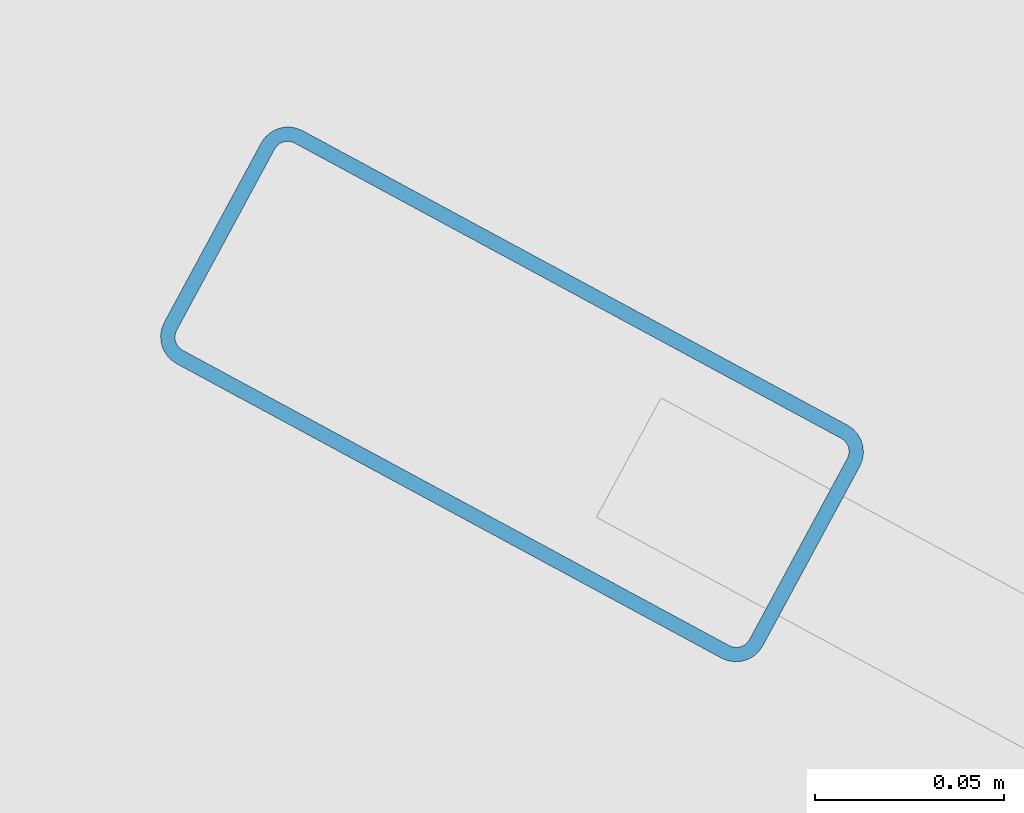
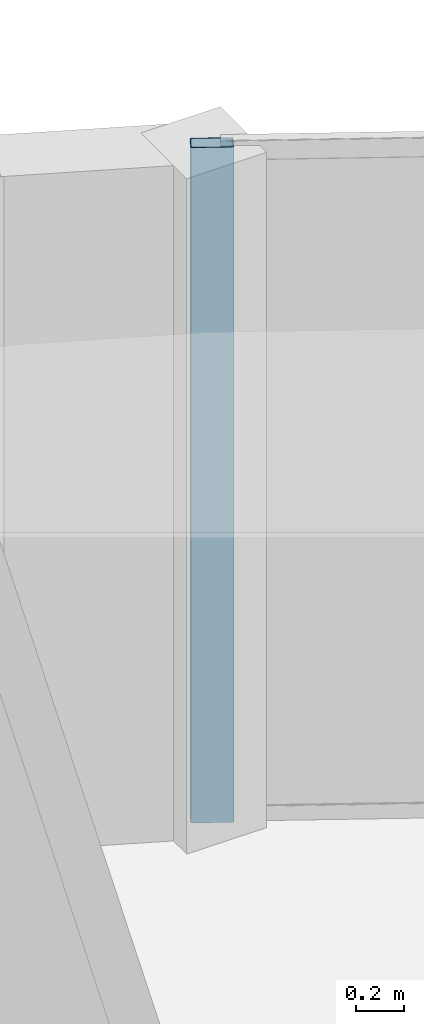
# One storey, part 7 of 13: 1 member, 1 element without a shape of its own.
"""IFC4 building model written with IfcOpenShell, lengths in metres."""

from ifc_helpers import new_model, si_unit, direction, frame, origin, origin_2d, place, context, subcontext, project, spatial, hollow_rectangle, extrude, material, layer, layer_set, material_profile, profile_set, type_object, element, aggregate, save


model = new_model("IFC4")

# Units and contexts
model_context = context("Model", 3, precision=1e-05, world=origin(), true_north=direction((0.0, 1.0)))
body_context = subcontext(model_context, "Body", "Model", "MODEL_VIEW")
ifc_project = project(units=[si_unit("LENGTHUNIT", "METRE"), si_unit("AREAUNIT", "SQUARE_METRE"), si_unit("VOLUMEUNIT", "CUBIC_METRE"), si_unit("PLANEANGLEUNIT", "RADIAN"), si_unit("MASSUNIT", "GRAM", prefix="KILO")], contexts=[model_context])

# Site, building, storey
site_placement = place(None, origin())
site = spatial("IfcSite", under=ifc_project, at=site_placement, CompositionType="ELEMENT")
building_placement = place(site_placement, origin())
building = spatial("IfcBuilding", under=site, at=building_placement, Name="An Khanh Terracotta Commons", CompositionType="ELEMENT")
storey_placement = place(building_placement, frame((0.0, 0.0, 201.300048828125)))
storey = spatial("IfcBuildingStorey", under=building, at=storey_placement, Name="L52", CompositionType="ELEMENT", Elevation=201.300048828125)

# Curtain wall, member
ifc_material = material(Name="Anodised Aluminium 6063-T6", Category="aluminium")
ifc_layer = layer(ifc_material, 0.2099609375, Name="Anodised Aluminium 6063-T6")
ifc_layer_set = layer_set([ifc_layer], Name="Anodised Aluminium 6063-T6")
curtain_wall_type = type_object("IfcCurtainWallType", Name="CW-SYS-03", PredefinedType="USERDEFINED", material=ifc_layer_set)
curtain_wall_placement = place(storey_placement, origin())
curtain_wall = element("IfcCurtainWall", 1, at=curtain_wall_placement, inside=storey, type_object=curtain_wall_type, Name="L52 CW-03 Unitised Curtain Wall CW-L52-16", ObjectType="UNITISED CURTAIN WALL", PredefinedType="USERDEFINED")
ifc_material_profile = material_profile(ifc_material, hollow_rectangle(XDim=0.070068359375, YDim=0.179931640625, WallThickness=0.00390625, InnerFilletRadius=0.00390625, OuterFilletRadius=0.008056640625, at=origin_2d()), Name="RHS180x70x4")
ifc_profile_set = profile_set([ifc_material_profile], Name="Anodised Aluminium 6063-T6")
member_type = type_object("IfcMemberType", Name="CWM-RHS180x70x4", PredefinedType="MULLION", material=ifc_profile_set)
member_placement = place(storey_placement, frame((57.3876953125, 39.058349609375, 0.0), z_axis=(0.0, 0.0, 1.0), x_axis=(-0.47538088298, -0.879780095306, 0.0)))
member = element("IfcMember", 2, at=member_placement, type_object=member_type, Name="CW-03 mullion 5", PredefinedType="MULLION", context=body_context, shape_type="SweptSolid", body=[
    extrude(hollow_rectangle(XDim=0.070068359375, YDim=0.179931640625, WallThickness=0.00390625, InnerFilletRadius=0.00390625, OuterFilletRadius=0.008056640625, at=origin_2d()), origin(), (0.0, 0.0, 1.0), 3.39990234375),
])
aggregate(curtain_wall, [member])

save(model, "model.ifc")
